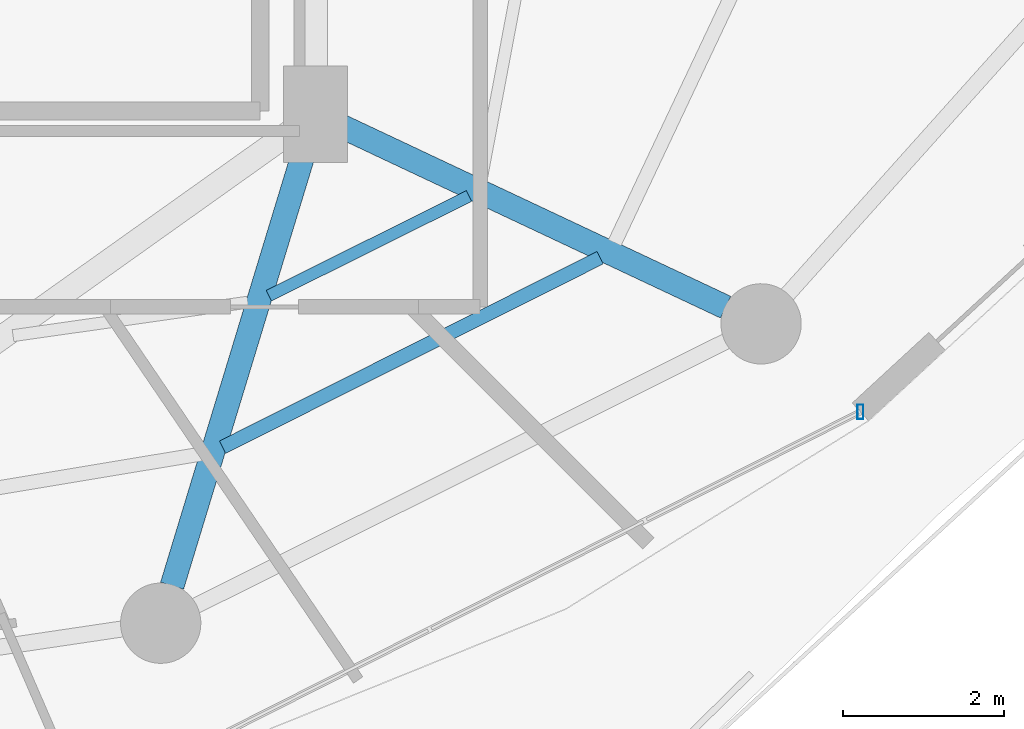
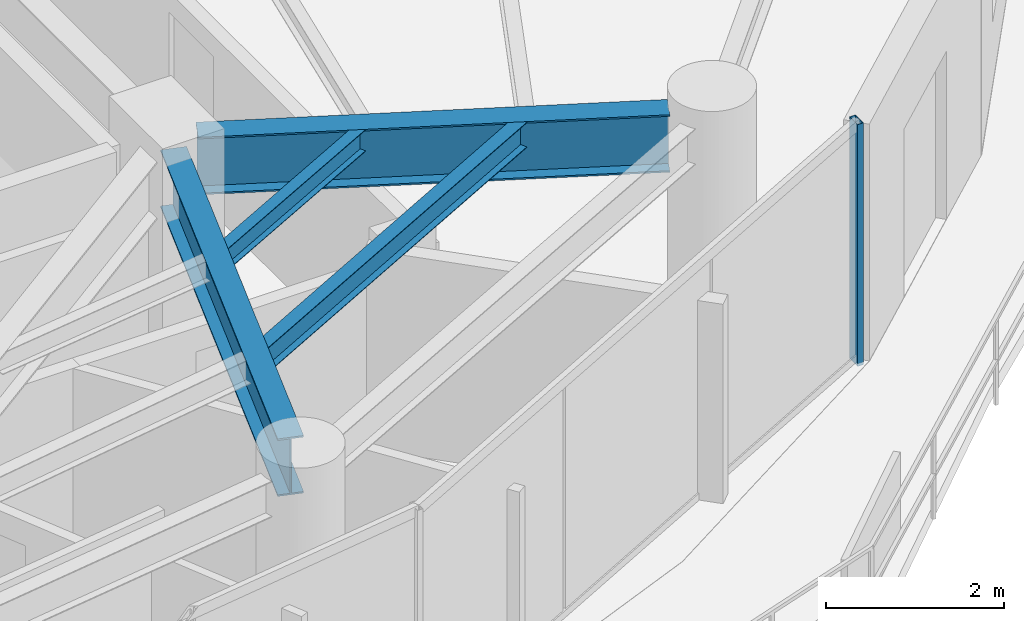
# One storey, part 12 of 31: 4 beams, 1 member, 1 element without a shape of its own.
"""IFC4 building model written with IfcOpenShell, lengths in metres."""

from ifc_helpers import new_model, si_unit, direction, frame, origin, origin_2d, place, context, subcontext, project, spatial, hollow_rectangle, i_section, extrude, material, material_profile, profile_set, type_object, element, aggregate, save


model = new_model("IFC4")

# Units and contexts
model_context = context("Model", 3, precision=1e-05, world=origin(), true_north=direction((0.0, 1.0)))
body_context = subcontext(model_context, "Body", "Model", "MODEL_VIEW")
ifc_project = project(units=[si_unit("LENGTHUNIT", "METRE"), si_unit("AREAUNIT", "SQUARE_METRE"), si_unit("VOLUMEUNIT", "CUBIC_METRE"), si_unit("PLANEANGLEUNIT", "RADIAN"), si_unit("MASSUNIT", "GRAM", prefix="KILO")], contexts=[model_context])

# Site, building, storey
site_placement = place(None, origin())
site = spatial("IfcSite", under=ifc_project, at=site_placement, CompositionType="ELEMENT")
building_placement = place(site_placement, origin())
building = spatial("IfcBuilding", under=site, at=building_placement, Name="Vorneva Point Tower", CompositionType="ELEMENT")
storey_placement = place(building_placement, frame((0.0, 0.0, 136.10009765625)))
storey = spatial("IfcBuildingStorey", under=building, at=storey_placement, Name="L36", CompositionType="ELEMENT", Elevation=136.10009765625)

# Beams
ifc_material_1 = material(Name="Steel S355", Category="steel")
ifc_material_profile_1 = material_profile(ifc_material_1, i_section(OverallWidth=0.300048828125, OverallDepth=0.7880859375, WebThickness=0.014404296875, FlangeThickness=0.02197265625, at=origin_2d()), Name="80Sh1")
ifc_profile_set_1 = profile_set([ifc_material_profile_1], Name="Steel S355")
beam_type_1 = type_object("IfcBeamType", Name="BM-GRD-80Sh1", PredefinedType="USERDEFINED", material=ifc_profile_set_1)
beam_1_placement = place(storey_placement, frame((46.962890625, 10.576171875, 2.845947265625), z_axis=(0.291049382966, 0.95670803105, 0.0), x_axis=(-0.95670803105, 0.291049382966, 0.0)))
element("IfcBeam", 1, at=beam_1_placement, inside=storey, type_object=beam_type_1, Name="L36 Radial Primary Girder 14", ObjectType="GIRDER", PredefinedType="USERDEFINED", context=body_context, shape_type="SweptSolid", body=[
    extrude(i_section(OverallWidth=0.300048828125, OverallDepth=0.7880859375, WebThickness=0.014404296875, FlangeThickness=0.02197265625, at=origin_2d()), origin(), (0.0, 0.0, 1.0), 5.799560546875),
])
beam_2_placement = place(storey_placement, frame((53.857421875, 14.045654296875, 2.845947265625), z_axis=(-0.904761331435, 0.425918927896, 0.0), x_axis=(-0.425918927896, -0.904761331435, 0.0)))
element("IfcBeam", 2, at=beam_2_placement, inside=storey, type_object=beam_type_1, Name="L36 Radial Primary Girder 15", ObjectType="GIRDER", PredefinedType="USERDEFINED", context=body_context, shape_type="SweptSolid", body=[
    extrude(i_section(OverallWidth=0.300048828125, OverallDepth=0.7880859375, WebThickness=0.014404296875, FlangeThickness=0.02197265625, at=origin_2d()), origin(), (0.0, 0.0, 1.0), 5.304931640625),
])
ifc_material_profile_2 = material_profile(ifc_material_1, i_section(OverallWidth=0.14892578125, OverallDepth=0.298095703125, WebThickness=0.005615234375, FlangeThickness=0.008056640625, at=origin_2d()), Name="30B1")
ifc_profile_set_2 = profile_set([ifc_material_profile_2], Name="Steel S355")
beam_type_2 = type_object("IfcBeamType", Name="BM-JST-30B1", PredefinedType="JOIST", material=ifc_profile_set_2)
beam_3_placement = place(storey_placement, frame((48.166748046875, 14.188720703125, 3.0908203125), z_axis=(0.895266564534, 0.445530895031, 0.0), x_axis=(-0.445530895031, 0.895266564534, 0.0)))
element("IfcBeam", 3, at=beam_3_placement, inside=storey, type_object=beam_type_2, Name="L36 Secondary Floor Beam 2.14", PredefinedType="JOIST", context=body_context, shape_type="SweptSolid", body=[
    extrude(i_section(OverallWidth=0.14892578125, OverallDepth=0.298095703125, WebThickness=0.005615234375, FlangeThickness=0.008056640625, at=origin_2d()), origin(), (0.0, 0.0, 1.0), 2.787109375),
])
ifc_material_profile_3 = material_profile(ifc_material_1, i_section(OverallWidth=0.174072265625, OverallDepth=0.345947265625, WebThickness=0.006103515625, FlangeThickness=0.009033203125, at=origin_2d()), Name="35B1")
ifc_profile_set_3 = profile_set([ifc_material_profile_3], Name="Steel S355")
beam_type_3 = type_object("IfcBeamType", Name="BM-SEC-35B1", PredefinedType="BEAM", material=ifc_profile_set_3)
beam_4_placement = place(storey_placement, frame((47.5927734375, 12.302490234375, 3.06689453125), z_axis=(0.893776430112, 0.44851275676, 0.0), x_axis=(-0.44851275676, 0.893776430112, 0.0)))
element("IfcBeam", 4, at=beam_4_placement, inside=storey, type_object=beam_type_3, Name="L36 Secondary Floor Beam 1.14", PredefinedType="BEAM", context=body_context, shape_type="SweptSolid", body=[
    extrude(i_section(OverallWidth=0.174072265625, OverallDepth=0.345947265625, WebThickness=0.006103515625, FlangeThickness=0.009033203125, at=origin_2d()), origin(), (0.0, 0.0, 1.0), 5.260009765625),
])

# Curtain wall, member
ifc_material_2 = material(Name="Pale anodised aluminium", Category="aluminium")
curtain_wall_type = type_object("IfcCurtainWallType", Name="CW-RES-SYS", PredefinedType="NOTDEFINED", material=ifc_material_2)
curtain_wall_placement = place(storey_placement, origin())
curtain_wall = element("IfcCurtainWall", 5, at=curtain_wall_placement, inside=storey, type_object=curtain_wall_type, Name="L36 Unitised Curtain Wall CW-L36-R04", PredefinedType="NOTDEFINED")
ifc_material_profile_4 = material_profile(ifc_material_2, hollow_rectangle(XDim=0.074951171875, YDim=0.179931640625, WallThickness=0.00390625, at=origin_2d()), Name="AL-MUL 180x75x4")
ifc_profile_set_4 = profile_set([ifc_material_profile_4], Name="Pale anodised aluminium")
member_type = type_object("IfcMemberType", Name="CW-MUL-180", PredefinedType="MULLION", material=ifc_profile_set_4)
member_placement = place(storey_placement, frame((55.5361328125, 12.74169921875, -0.0400390625), z_axis=(0.0, 0.0, 1.0), x_axis=(1.0, 0.0, 0.0)))
member = element("IfcMember", 6, at=member_placement, type_object=member_type, Name="CW-L36-R04 Mullion 05", PredefinedType="MULLION", context=body_context, shape_type="SweptSolid", body=[
    extrude(hollow_rectangle(XDim=0.074951171875, YDim=0.179931640625, WallThickness=0.00390625, at=origin_2d()), origin(), (0.0, 0.0, 1.0), 3.31005859375),
])
aggregate(curtain_wall, [member])

save(model, "model.ifc")
